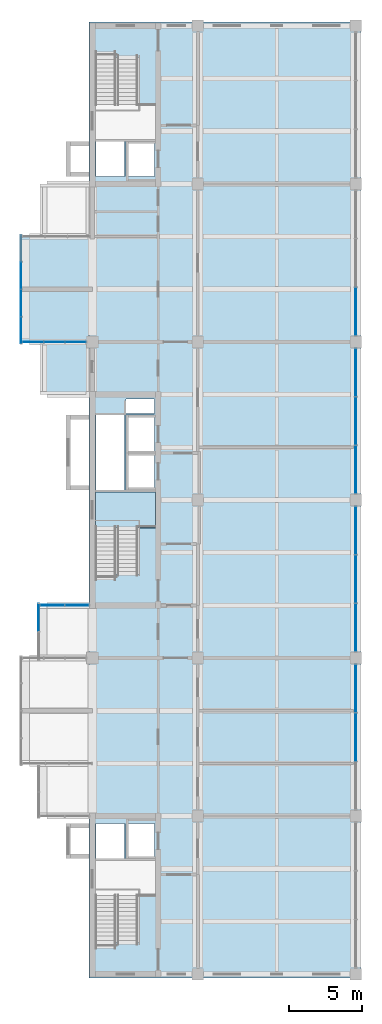
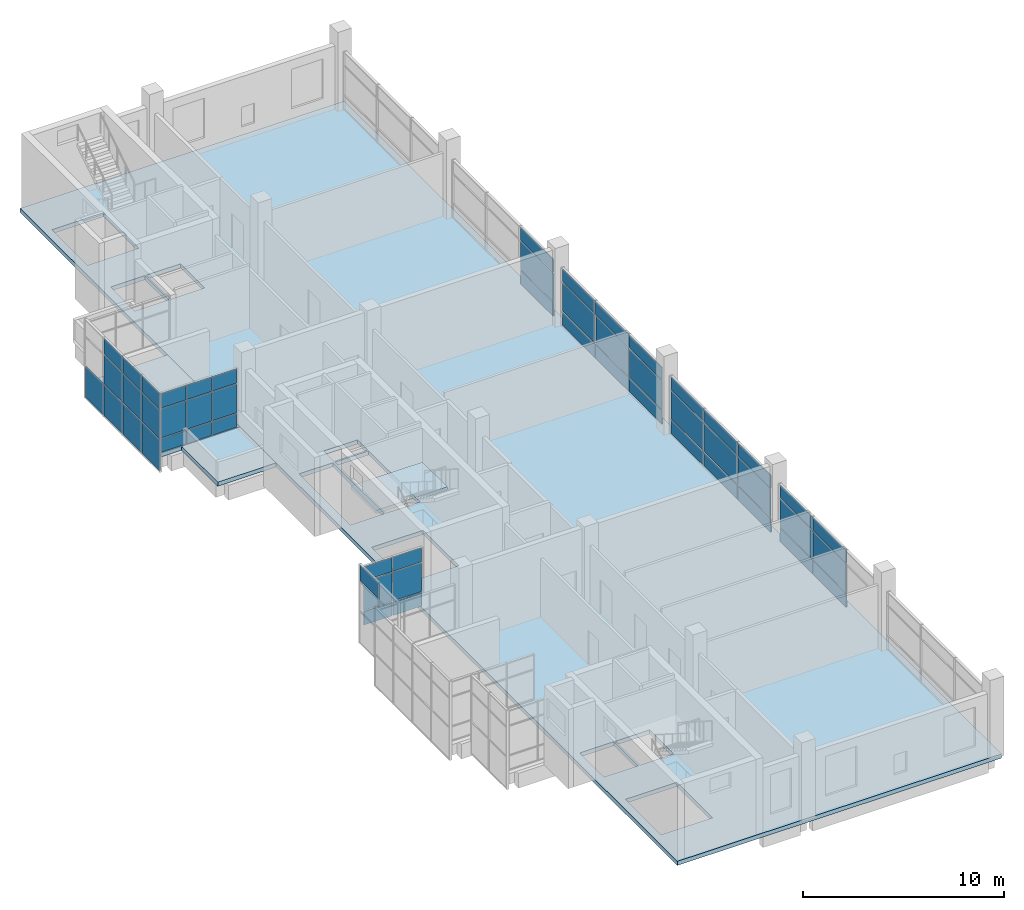
# One storey, part 9 of 14: 53 plates, 4 slabs, 9 elements without a shape of their own.
"""IFC4 building model written with IfcOpenShell, lengths in metres."""

import ifcopenshell
import ifcopenshell.guid

model = None  # the IFC model being written
_history = None  # IfcOwnerHistory: only IFC2X3 demands one
_inside = {}  # id of a spatial element -> (the spatial element, [elements in it])
_under = {}  # id of a project, library or spatial element -> (it, [spatial elements below it])
_declared = {}  # id of a project -> (the project, [libraries it declares])
_typed = {}  # id of a type object -> (the type object, [elements of that type])
_made_of = {}  # id of a material, layer set ... -> (it, [elements and type objects made of it])


def new_model(schema):
    """Start an empty IFC model of exactly this schema.

    Asked for "IFC4X3", IfcOpenShell would pick the latest addendum, in which some entities
    have other attributes; the version numbers below select the first issue.
    IFC2X3 requires an IfcOwnerHistory on every rooted entity: one is made here for all.
    """
    global model, _history
    if schema == "IFC4X3":
        model = ifcopenshell.file(schema_version=(4, 3, 0, 0))
    else:
        model = ifcopenshell.file(schema=schema)
    _inside.clear()
    _under.clear()
    _declared.clear()
    _typed.clear()
    _made_of.clear()
    _history = None
    if model.schema == "IFC2X3":
        org = make("IfcOrganization", Name="unknown")
        user = make(
            "IfcPersonAndOrganization",
            ThePerson=make("IfcPerson", FamilyName="unknown"),
            TheOrganization=org,
        )
        app = make(
            "IfcApplication",
            ApplicationDeveloper=org,
            Version="unknown",
            ApplicationFullName="unknown",
            ApplicationIdentifier="unknown",
        )
        _history = make(
            "IfcOwnerHistory",
            OwningUser=user,
            OwningApplication=app,
            ChangeAction="ADDED",
            CreationDate=0,
        )
    return model


def make(cls, **values):
    """One entity of the class cls with the attributes given. An attribute that is None is left unset."""
    return model.create_entity(
        cls, **{name: value for name, value in values.items() if value is not None}
    )


def rooted(cls, **values):
    """An entity with a GlobalId (a new one), such as an element, a storey or a relation."""
    return make(cls, GlobalId=ifcopenshell.guid.new(), OwnerHistory=_history, **values)


def si_unit(unit_type, name, prefix=None):
    """IfcSIUnit, for example si_unit("LENGTHUNIT", "METRE", prefix="MILLI")."""
    return make("IfcSIUnit", UnitType=unit_type, Prefix=prefix, Name=name)


def assignment(units):
    """IfcUnitAssignment: the units of a project."""
    return None if units is None else make("IfcUnitAssignment", Units=units)


def point(xyz):
    """IfcCartesianPoint."""
    return None if xyz is None else make("IfcCartesianPoint", Coordinates=xyz)


def direction(xyz):
    """IfcDirection."""
    return None if xyz is None else make("IfcDirection", DirectionRatios=xyz)


def frame(location, z_axis=None, x_axis=None):
    """IfcAxis2Placement3D, a coordinate frame: its origin and axes. An axis left out is left unset."""
    return make(
        "IfcAxis2Placement3D",
        Location=point(location),
        Axis=direction(z_axis),
        RefDirection=direction(x_axis),
    )


def frame_2d(location, x_axis=None):
    """IfcAxis2Placement2D, a coordinate frame in the plane: its origin and x axis."""
    return make(
        "IfcAxis2Placement2D", Location=point(location), RefDirection=direction(x_axis)
    )


def origin():
    """The frame at (0, 0, 0) with its axes left unset."""
    return frame((0.0, 0.0, 0.0))


def origin_2d():
    """The frame at (0, 0) in the plane with its x axis left unset."""
    return frame_2d((0.0, 0.0))


def place(relative_to, where):
    """IfcLocalPlacement: puts the frame where relative to a parent placement (None: the world)."""
    return make(
        "IfcLocalPlacement", PlacementRelTo=relative_to, RelativePlacement=where
    )


def context(
    kind, dimensions, precision=None, world=None, true_north=None, identifier=None
):
    """IfcGeometricRepresentationContext, for example the 3D "Model" context."""
    return make(
        "IfcGeometricRepresentationContext",
        ContextIdentifier=identifier,
        ContextType=kind,
        CoordinateSpaceDimension=dimensions,
        Precision=precision,
        WorldCoordinateSystem=world,
        TrueNorth=true_north,
    )


def subcontext(parent, identifier, kind, view, scale=None):
    """IfcGeometricRepresentationSubContext, for example "Body" below "Model"."""
    return make(
        "IfcGeometricRepresentationSubContext",
        ContextIdentifier=identifier,
        ContextType=kind,
        ParentContext=parent,
        TargetScale=scale,
        TargetView=view,
    )


def project(units=None, contexts=None):
    """IfcProject with its units and contexts."""
    return rooted(
        "IfcProject",
        Name="project",
        RepresentationContexts=contexts,
        UnitsInContext=assignment(units),
    )


def spatial(cls, under=None, at=None, **own):
    """A site, building, storey or space (cls), placed at a placement, below another one or the project."""
    s = rooted(cls, ObjectPlacement=at, **own)
    if under is not None:
        _under.setdefault(under.id(), (under, []))[1].append(s)
    return s


def polyline(points):
    """IfcPolyline through the points."""
    return make("IfcPolyline", Points=[point(p) for p in points])


def profile(cls, at=None, kind="AREA", **sizes):
    """A parametric profile (cls). Its sizes go by their IFC names, for example OverallWidth=200.0."""
    return make(cls, ProfileType=kind, Position=at, **sizes)


def rectangle(**sizes):
    """IfcRectangleProfileDef."""
    return profile("IfcRectangleProfileDef", **sizes)


def outline(outer, holes=None, kind="AREA"):
    """IfcArbitraryClosedProfileDef: a profile drawn as a closed curve; with holes, ...WithVoids."""
    if holes is None:
        return make("IfcArbitraryClosedProfileDef", ProfileType=kind, OuterCurve=outer)
    return make(
        "IfcArbitraryProfileDefWithVoids",
        ProfileType=kind,
        OuterCurve=outer,
        InnerCurves=holes,
    )


def extrude(swept, where, along, depth):
    """IfcExtrudedAreaSolid: the profile swept, set in the frame where, extruded along a direction by depth."""
    return make(
        "IfcExtrudedAreaSolid",
        SweptArea=swept,
        Position=where,
        ExtrudedDirection=direction(along),
        Depth=depth,
    )


def shape(context_of_items, identifier, shape_type, items):
    """IfcShapeRepresentation: the items that make up one representation, for example the "Body"."""
    return make(
        "IfcShapeRepresentation",
        ContextOfItems=context_of_items,
        RepresentationIdentifier=identifier,
        RepresentationType=shape_type,
        Items=items,
    )


def material(Name=None, Category=None):
    """IfcMaterial."""
    return make("IfcMaterial", Name=Name, Category=Category)


def layer(
    of_material, thickness, ventilated=None, Name=None, Category=None, Priority=None
):
    """IfcMaterialLayer: one layer of a wall or slab, of a material (None: an air gap)."""
    return make(
        "IfcMaterialLayer",
        Material=of_material,
        LayerThickness=thickness,
        IsVentilated=ventilated,
        Name=Name,
        Category=Category,
        Priority=Priority,
    )


def layer_set(layers, Name=None):
    """IfcMaterialLayerSet."""
    return make("IfcMaterialLayerSet", MaterialLayers=layers, LayerSetName=Name)


def made_of(thing, what):
    """Note that an element or type object is made of a material, layer set ...; save() writes the relation."""
    if what is not None:
        _made_of.setdefault(what.id(), (what, []))[1].append(thing)
    return thing


def type_object(cls, material=None, **own):
    """A type object (cls), such as IfcWallType, which elements share."""
    return made_of(rooted(cls, **own), material)


def element(
    cls,
    number,
    at=None,
    inside=None,
    cuts=None,
    type_object=None,
    material=None,
    context=None,
    identifier="Body",
    shape_type=None,
    held_by="IfcProductDefinitionShape",
    body=None,
    shapes=None,
    **own,
):
    """One element of the class cls, such as IfcWall. Its Tag is "e" and its number.

    at: its placement. inside: the storey or other place that contains it. cuts: it is an
    opening in that element (IfcRelVoidsElement). A single representation is given by context,
    identifier, shape_type and body (its items); several are given by shapes. held_by: the class
    of the entity that holds the representations. save() writes the other relations.
    """
    e = rooted(cls, Tag="e%d" % number, ObjectPlacement=at, **own)
    if body is not None:
        shapes = [shape(context, identifier, shape_type, body)]
    if shapes is not None:
        e.Representation = make(held_by, Representations=shapes)
    if inside is not None:
        _inside.setdefault(inside.id(), (inside, []))[1].append(e)
    if cuts is not None:
        rooted(
            "IfcRelVoidsElement", RelatingBuildingElement=cuts, RelatedOpeningElement=e
        )
    if type_object is not None:
        _typed.setdefault(type_object.id(), (type_object, []))[1].append(e)
    return made_of(e, material)


def aggregate(whole, parts):
    """IfcRelAggregates: a whole, such as a stair, and the parts it consists of."""
    return rooted("IfcRelAggregates", RelatingObject=whole, RelatedObjects=parts)


def save(model, path):
    """Write the relations noted so far, then the file.

    IfcRelAggregates (storeys below a building ...), IfcRelContainedInSpatialStructure (elements
    in a storey), IfcRelDefinesByType, IfcRelAssociatesMaterial and IfcRelDeclares: one each for
    every whole, place, type object, material and project.
    """
    for whole, parts in _under.values():
        aggregate(whole, parts)
    for where, things in _inside.values():
        rooted(
            "IfcRelContainedInSpatialStructure",
            RelatedElements=things,
            RelatingStructure=where,
        )
    for kind, things in _typed.values():
        rooted("IfcRelDefinesByType", RelatedObjects=things, RelatingType=kind)
    for what, things in _made_of.values():
        rooted("IfcRelAssociatesMaterial", RelatedObjects=things, RelatingMaterial=what)
    for by, libraries in _declared.values():
        rooted("IfcRelDeclares", RelatingContext=by, RelatedDefinitions=libraries)
    model.write(path)


model = new_model("IFC4")

# Units and contexts
model_context = context("Model", 3, precision=1e-05, world=origin(), true_north=direction((0.0, 1.0)))
body_context = subcontext(model_context, "Body", "Model", "MODEL_VIEW")
ifc_project = project(units=[si_unit("LENGTHUNIT", "METRE"), si_unit("AREAUNIT", "SQUARE_METRE"), si_unit("VOLUMEUNIT", "CUBIC_METRE"), si_unit("PLANEANGLEUNIT", "RADIAN"), si_unit("MASSUNIT", "GRAM", prefix="KILO")], contexts=[model_context])

# Site, building, storey
site_placement = place(None, origin())
site = spatial("IfcSite", under=ifc_project, at=site_placement, CompositionType="ELEMENT")
building_placement = place(site_placement, origin())
building = spatial("IfcBuilding", under=site, at=building_placement, Name="Basin Gate Institute", CompositionType="ELEMENT")
storey_placement = place(building_placement, frame((0.0, 0.0, 60.60009765625)))
storey = spatial("IfcBuildingStorey", under=building, at=storey_placement, Name="L12", CompositionType="ELEMENT", Elevation=60.60009765625)

# Slabs
ifc_material_1 = material(Name="Concrete 40 MPa", Category="concrete")
ifc_layer_1 = layer(ifc_material_1, 0.25)
ifc_layer_set_1 = layer_set([ifc_layer_1], Name="Concrete 40 MPa")
slab_type_1 = type_object("IfcSlabType", Name="Slab RS4 R120", PredefinedType="ROOF", material=ifc_layer_set_1)
slab_1_placement = place(storey_placement, frame((0.0, 0.0, -0.25)))
element("IfcSlab", 1, at=slab_1_placement, inside=storey, type_object=slab_type_1, material=ifc_layer_set_1, Name="SLAB/L12/WK21", PredefinedType="ROOF", context=body_context, shape_type="SweptSolid", body=[
    extrude(outline(polyline([(57.60009765625, 74.699951171875), (60.949951171875, 74.699951171875), (60.949951171875, 78.300048828125), (57.60009765625, 78.300048828125), (57.60009765625, 74.699951171875)])), origin(), (0.0, 0.0, 1.0), 0.25),
])
ifc_material_2 = material(Name="Concrete 40 MPa", Category="concrete")
ifc_layer_2 = layer(ifc_material_2, 0.25)
ifc_layer_set_2 = layer_set([ifc_layer_2], Name="Concrete 40 MPa")
slab_type_2 = type_object("IfcSlabType", Name="Slab SL4 R120", PredefinedType="FLOOR", material=ifc_layer_set_2)
slab_2_placement = place(storey_placement, frame((0.0, 0.0, -0.25)))
element("IfcSlab", 2, at=slab_2_placement, inside=storey, type_object=slab_type_2, material=ifc_layer_set_2, Name="SLAB/L12/W", PredefinedType="FLOOR", context=body_context, shape_type="SweptSolid", body=[
    extrude(outline(polyline([(60.949951171875, 34.85009765625), (79.550048828125, 34.85009765625), (79.550048828125, 100.14990234375), (60.949951171875, 100.14990234375), (60.949951171875, 34.85009765625)]), holes=[polyline([(61.39990234375, 37.25), (64.35009765625, 37.25), (64.35009765625, 40.7900390625), (61.39990234375, 40.7900390625), (61.39990234375, 37.25)]), polyline([(61.39990234375, 62.449951171875), (64.35009765625, 62.449951171875), (64.35009765625, 65.989990234375), (61.39990234375, 65.989990234375), (61.39990234375, 62.449951171875)]), polyline([(61.39990234375, 94.2099609375), (64.35009765625, 94.2099609375), (64.35009765625, 97.75), (61.39990234375, 97.75), (61.39990234375, 94.2099609375)]), polyline([(61.449951171875, 43.0), (63.39990234375, 43.0), (63.39990234375, 45.39990234375), (61.449951171875, 45.39990234375), (61.449951171875, 43.0)]), polyline([(61.449951171875, 68.199951171875), (63.39990234375, 68.199951171875), (63.39990234375, 73.300048828125), (61.449951171875, 73.300048828125), (61.449951171875, 68.199951171875)]), polyline([(63.5, 73.39990234375), (65.449951171875, 73.39990234375), (65.449951171875, 74.39990234375), (63.5, 74.39990234375), (63.5, 73.39990234375)]), polyline([(61.449951171875, 89.60009765625), (63.39990234375, 89.60009765625), (63.39990234375, 92.0), (61.449951171875, 92.0), (61.449951171875, 89.60009765625)]), polyline([(63.5, 43.0), (65.449951171875, 43.0), (65.449951171875, 45.39990234375), (63.5, 45.39990234375), (63.5, 43.0)]), polyline([(65.449951171875, 68.199951171875), (63.5, 68.199951171875), (63.5, 73.300048828125), (65.449951171875, 73.300048828125), (65.449951171875, 68.199951171875)]), polyline([(63.5, 89.60009765625), (65.449951171875, 89.60009765625), (65.449951171875, 92.0), (63.5, 92.0), (63.5, 89.60009765625)])]), origin(), (0.0, 0.0, 1.0), 0.25),
])
slab_3_placement = place(storey_placement, frame((0.0, 0.0, -0.25)))
element("IfcSlab", 3, at=slab_3_placement, inside=storey, type_object=slab_type_2, material=ifc_layer_set_2, Name="SLAB/L12/WK22", PredefinedType="FLOOR", context=body_context, shape_type="SweptSolid", body=[
    extrude(outline(polyline([(60.949951171875, 78.300048828125), (56.39990234375, 78.300048828125), (56.39990234375, 85.5), (60.949951171875, 85.5), (60.949951171875, 78.300048828125)])), origin(), (0.0, 0.0, 1.0), 0.25),
])

# Curtain wall, plates
ifc_material_3 = material(Name="Aluminium-framed glazing", Category="aluminium")
ifc_layer_3 = layer(ifc_material_3, 0.199951171875)
ifc_layer_set_3 = layer_set([ifc_layer_3], Name="Atrium curtain wall CW2")
curtain_wall_type_1 = type_object("IfcCurtainWallType", Name="Atrium curtain wall CW2", PredefinedType="NOTDEFINED", material=ifc_layer_set_3)
curtain_wall_1_placement = place(storey_placement, origin())
curtain_wall_1 = element("IfcCurtainWall", 4, at=curtain_wall_1_placement, inside=storey, type_object=curtain_wall_type_1, material=ifc_layer_set_3, Name="Atrium curtain wall W wing atrium bay 2 L12", PredefinedType="NOTDEFINED")
ifc_material_4 = material(Name="Aluminium insulated spandrel panel", Category="aluminium")
ifc_layer_4 = layer(ifc_material_4, 0.050048828125)
ifc_layer_set_4 = layer_set([ifc_layer_4], Name="Spandrel panel PN2")
plate_type_1 = type_object("IfcPlateType", Name="Spandrel panel PN2", PredefinedType="CURTAIN_PANEL", material=ifc_layer_set_4)
plate_1_placement = place(storey_placement, frame((79.199951171875, 51.300048828125, 0.059814453125), z_axis=(0.0, 0.0, 1.0), x_axis=(0.0, 1.0, 0.0)))
plate_1 = element("IfcPlate", 5, at=plate_1_placement, type_object=plate_type_1, material=ifc_layer_set_4, Name="CW2 spandrel panel 2.1", PredefinedType="CURTAIN_PANEL", context=body_context, shape_type="SweptSolid", body=[
    extrude(rectangle(XDim=3.2734375, YDim=0.050048828125, at=origin_2d()), origin(), (0.0, 0.0, 1.0), 0.81005859375),
])
plate_2_placement = place(storey_placement, frame((79.199951171875, 51.300048828125, 2.72998046875), z_axis=(0.0, 0.0, 1.0), x_axis=(0.0, 1.0, 0.0)))
plate_2 = element("IfcPlate", 6, at=plate_2_placement, type_object=plate_type_1, material=ifc_layer_set_4, Name="CW2 spandrel panel 2.3", PredefinedType="CURTAIN_PANEL", context=body_context, shape_type="SweptSolid", body=[
    extrude(rectangle(XDim=3.2734375, YDim=0.050048828125, at=origin_2d()), origin(), (0.0, 0.0, 1.0), 0.760009765625),
])
plate_3_placement = place(storey_placement, frame((79.199951171875, 54.618408203125, 0.059814453125), z_axis=(0.0, 0.0, 1.0), x_axis=(0.0, 1.0, 0.0)))
plate_3 = element("IfcPlate", 7, at=plate_3_placement, type_object=plate_type_1, material=ifc_layer_set_4, Name="CW2 spandrel panel 3.1", PredefinedType="CURTAIN_PANEL", context=body_context, shape_type="SweptSolid", body=[
    extrude(rectangle(XDim=3.243408203125, YDim=0.050048828125, at=origin_2d()), origin(), (0.0, 0.0, 1.0), 0.81005859375),
])
plate_4_placement = place(storey_placement, frame((79.199951171875, 54.618408203125, 2.72998046875), z_axis=(0.0, 0.0, 1.0), x_axis=(0.0, 1.0, 0.0)))
plate_4 = element("IfcPlate", 8, at=plate_4_placement, type_object=plate_type_1, material=ifc_layer_set_4, Name="CW2 spandrel panel 3.3", PredefinedType="CURTAIN_PANEL", context=body_context, shape_type="SweptSolid", body=[
    extrude(rectangle(XDim=3.243408203125, YDim=0.050048828125, at=origin_2d()), origin(), (0.0, 0.0, 1.0), 0.760009765625),
])

curtain_wall_2_placement = place(storey_placement, origin())
curtain_wall_2 = element("IfcCurtainWall", 9, at=curtain_wall_2_placement, inside=storey, type_object=curtain_wall_type_1, material=ifc_layer_set_3, Name="Atrium curtain wall W wing atrium bay 3 L12", PredefinedType="NOTDEFINED")
plate_5_placement = place(storey_placement, frame((79.199951171875, 58.78173828125, 0.059814453125), z_axis=(0.0, 0.0, 1.0), x_axis=(0.0, 1.0, 0.0)))
plate_5 = element("IfcPlate", 10, at=plate_5_placement, type_object=plate_type_1, material=ifc_layer_set_4, Name="CW2 spandrel panel 1.1", PredefinedType="CURTAIN_PANEL", context=body_context, shape_type="SweptSolid", body=[
    extrude(rectangle(XDim=3.243408203125, YDim=0.050048828125, at=origin_2d()), origin(), (0.0, 0.0, 1.0), 0.81005859375),
])
plate_6_placement = place(storey_placement, frame((79.199951171875, 58.78173828125, 2.72998046875), z_axis=(0.0, 0.0, 1.0), x_axis=(0.0, 1.0, 0.0)))
plate_6 = element("IfcPlate", 11, at=plate_6_placement, type_object=plate_type_1, material=ifc_layer_set_4, Name="CW2 spandrel panel 1.3", PredefinedType="CURTAIN_PANEL", context=body_context, shape_type="SweptSolid", body=[
    extrude(rectangle(XDim=3.243408203125, YDim=0.050048828125, at=origin_2d()), origin(), (0.0, 0.0, 1.0), 0.760009765625),
])
plate_7_placement = place(storey_placement, frame((79.199951171875, 62.10009765625, 0.059814453125), z_axis=(0.0, 0.0, 1.0), x_axis=(0.0, 1.0, 0.0)))
plate_7 = element("IfcPlate", 12, at=plate_7_placement, type_object=plate_type_1, material=ifc_layer_set_4, Name="CW2 spandrel panel 2.1", PredefinedType="CURTAIN_PANEL", context=body_context, shape_type="SweptSolid", body=[
    extrude(rectangle(XDim=3.2734375, YDim=0.050048828125, at=origin_2d()), origin(), (0.0, 0.0, 1.0), 0.81005859375),
])
plate_8_placement = place(storey_placement, frame((79.199951171875, 62.10009765625, 2.72998046875), z_axis=(0.0, 0.0, 1.0), x_axis=(0.0, 1.0, 0.0)))
plate_8 = element("IfcPlate", 13, at=plate_8_placement, type_object=plate_type_1, material=ifc_layer_set_4, Name="CW2 spandrel panel 2.3", PredefinedType="CURTAIN_PANEL", context=body_context, shape_type="SweptSolid", body=[
    extrude(rectangle(XDim=3.2734375, YDim=0.050048828125, at=origin_2d()), origin(), (0.0, 0.0, 1.0), 0.760009765625),
])
plate_9_placement = place(storey_placement, frame((79.199951171875, 65.418212890625, 0.059814453125), z_axis=(0.0, 0.0, 1.0), x_axis=(0.0, 1.0, 0.0)))
plate_9 = element("IfcPlate", 14, at=plate_9_placement, type_object=plate_type_1, material=ifc_layer_set_4, Name="CW2 spandrel panel 3.1", PredefinedType="CURTAIN_PANEL", context=body_context, shape_type="SweptSolid", body=[
    extrude(rectangle(XDim=3.243408203125, YDim=0.050048828125, at=origin_2d()), origin(), (0.0, 0.0, 1.0), 0.81005859375),
])
plate_10_placement = place(storey_placement, frame((79.199951171875, 65.418212890625, 2.72998046875), z_axis=(0.0, 0.0, 1.0), x_axis=(0.0, 1.0, 0.0)))
plate_10 = element("IfcPlate", 15, at=plate_10_placement, type_object=plate_type_1, material=ifc_layer_set_4, Name="CW2 spandrel panel 3.3", PredefinedType="CURTAIN_PANEL", context=body_context, shape_type="SweptSolid", body=[
    extrude(rectangle(XDim=3.243408203125, YDim=0.050048828125, at=origin_2d()), origin(), (0.0, 0.0, 1.0), 0.760009765625),
])

curtain_wall_3_placement = place(storey_placement, origin())
curtain_wall_3 = element("IfcCurtainWall", 16, at=curtain_wall_3_placement, inside=storey, type_object=curtain_wall_type_1, material=ifc_layer_set_3, Name="Atrium curtain wall W wing atrium bay 4 L12", PredefinedType="NOTDEFINED")
plate_11_placement = place(storey_placement, frame((79.199951171875, 69.581787109375, 0.059814453125), z_axis=(0.0, 0.0, 1.0), x_axis=(0.0, 1.0, 0.0)))
plate_11 = element("IfcPlate", 17, at=plate_11_placement, type_object=plate_type_1, material=ifc_layer_set_4, Name="CW2 spandrel panel 1.1", PredefinedType="CURTAIN_PANEL", context=body_context, shape_type="SweptSolid", body=[
    extrude(rectangle(XDim=3.243408203125, YDim=0.050048828125, at=origin_2d()), origin(), (0.0, 0.0, 1.0), 0.81005859375),
])
plate_12_placement = place(storey_placement, frame((79.199951171875, 69.581787109375, 2.72998046875), z_axis=(0.0, 0.0, 1.0), x_axis=(0.0, 1.0, 0.0)))
plate_12 = element("IfcPlate", 18, at=plate_12_placement, type_object=plate_type_1, material=ifc_layer_set_4, Name="CW2 spandrel panel 1.3", PredefinedType="CURTAIN_PANEL", context=body_context, shape_type="SweptSolid", body=[
    extrude(rectangle(XDim=3.243408203125, YDim=0.050048828125, at=origin_2d()), origin(), (0.0, 0.0, 1.0), 0.760009765625),
])
plate_13_placement = place(storey_placement, frame((79.199951171875, 72.89990234375, 0.059814453125), z_axis=(0.0, 0.0, 1.0), x_axis=(0.0, 1.0, 0.0)))
plate_13 = element("IfcPlate", 19, at=plate_13_placement, type_object=plate_type_1, material=ifc_layer_set_4, Name="CW2 spandrel panel 2.1", PredefinedType="CURTAIN_PANEL", context=body_context, shape_type="SweptSolid", body=[
    extrude(rectangle(XDim=3.2734375, YDim=0.050048828125, at=origin_2d()), origin(), (0.0, 0.0, 1.0), 0.81005859375),
])
plate_14_placement = place(storey_placement, frame((79.199951171875, 72.89990234375, 2.72998046875), z_axis=(0.0, 0.0, 1.0), x_axis=(0.0, 1.0, 0.0)))
plate_14 = element("IfcPlate", 20, at=plate_14_placement, type_object=plate_type_1, material=ifc_layer_set_4, Name="CW2 spandrel panel 2.3", PredefinedType="CURTAIN_PANEL", context=body_context, shape_type="SweptSolid", body=[
    extrude(rectangle(XDim=3.2734375, YDim=0.050048828125, at=origin_2d()), origin(), (0.0, 0.0, 1.0), 0.760009765625),
])
plate_15_placement = place(storey_placement, frame((79.199951171875, 76.21826171875, 0.059814453125), z_axis=(0.0, 0.0, 1.0), x_axis=(0.0, 1.0, 0.0)))
plate_15 = element("IfcPlate", 21, at=plate_15_placement, type_object=plate_type_1, material=ifc_layer_set_4, Name="CW2 spandrel panel 3.1", PredefinedType="CURTAIN_PANEL", context=body_context, shape_type="SweptSolid", body=[
    extrude(rectangle(XDim=3.243408203125, YDim=0.050048828125, at=origin_2d()), origin(), (0.0, 0.0, 1.0), 0.81005859375),
])
plate_16_placement = place(storey_placement, frame((79.199951171875, 76.21826171875, 2.72998046875), z_axis=(0.0, 0.0, 1.0), x_axis=(0.0, 1.0, 0.0)))
plate_16 = element("IfcPlate", 22, at=plate_16_placement, type_object=plate_type_1, material=ifc_layer_set_4, Name="CW2 spandrel panel 3.3", PredefinedType="CURTAIN_PANEL", context=body_context, shape_type="SweptSolid", body=[
    extrude(rectangle(XDim=3.243408203125, YDim=0.050048828125, at=origin_2d()), origin(), (0.0, 0.0, 1.0), 0.760009765625),
])

curtain_wall_4_placement = place(storey_placement, origin())
curtain_wall_4 = element("IfcCurtainWall", 23, at=curtain_wall_4_placement, inside=storey, type_object=curtain_wall_type_1, material=ifc_layer_set_3, Name="Atrium curtain wall W wing atrium bay 5 L12", PredefinedType="NOTDEFINED")
plate_17_placement = place(storey_placement, frame((79.199951171875, 80.381591796875, 0.059814453125), z_axis=(0.0, 0.0, 1.0), x_axis=(0.0, 1.0, 0.0)))
plate_17 = element("IfcPlate", 24, at=plate_17_placement, type_object=plate_type_1, material=ifc_layer_set_4, Name="CW2 spandrel panel 1.1", PredefinedType="CURTAIN_PANEL", context=body_context, shape_type="SweptSolid", body=[
    extrude(rectangle(XDim=3.243408203125, YDim=0.050048828125, at=origin_2d()), origin(), (0.0, 0.0, 1.0), 0.81005859375),
])
plate_18_placement = place(storey_placement, frame((79.199951171875, 80.381591796875, 2.72998046875), z_axis=(0.0, 0.0, 1.0), x_axis=(0.0, 1.0, 0.0)))
plate_18 = element("IfcPlate", 25, at=plate_18_placement, type_object=plate_type_1, material=ifc_layer_set_4, Name="CW2 spandrel panel 1.3", PredefinedType="CURTAIN_PANEL", context=body_context, shape_type="SweptSolid", body=[
    extrude(rectangle(XDim=3.243408203125, YDim=0.050048828125, at=origin_2d()), origin(), (0.0, 0.0, 1.0), 0.760009765625),
])

ifc_material_5 = material(Name="Aluminium-framed glazing", Category="aluminium")
ifc_layer_5 = layer(ifc_material_5, 0.14990234375)
ifc_layer_set_5 = layer_set([ifc_layer_5], Name="Capsule front curtain wall CW1")
curtain_wall_type_2 = type_object("IfcCurtainWallType", Name="Capsule front curtain wall CW1", PredefinedType="NOTDEFINED", material=ifc_layer_set_5)
curtain_wall_5_placement = place(storey_placement, origin())
curtain_wall_5 = element("IfcCurtainWall", 26, at=curtain_wall_5_placement, inside=storey, type_object=curtain_wall_type_2, material=ifc_layer_set_5, Name="Capsule front curtain wall W wing capsule end L12 line 8", PredefinedType="NOTDEFINED")
plate_19_placement = place(storey_placement, frame((58.46240234375, 60.300048828125, 0.059814453125), z_axis=(0.0, 0.0, 1.0), x_axis=(1.0, 0.0, 0.0)))
plate_19 = element("IfcPlate", 27, at=plate_19_placement, type_object=plate_type_1, material=ifc_layer_set_4, Name="CW1 spandrel panel 1.1", PredefinedType="CURTAIN_PANEL", context=body_context, shape_type="SweptSolid", body=[
    extrude(rectangle(XDim=1.625, YDim=0.050048828125, at=origin_2d()), origin(), (0.0, 0.0, 1.0), 0.81005859375),
])
plate_20_placement = place(storey_placement, frame((60.137451171875, 60.300048828125, 0.059814453125), z_axis=(0.0, 0.0, 1.0), x_axis=(1.0, 0.0, 0.0)))
plate_20 = element("IfcPlate", 28, at=plate_20_placement, type_object=plate_type_1, material=ifc_layer_set_4, Name="CW1 spandrel panel 2.1", PredefinedType="CURTAIN_PANEL", context=body_context, shape_type="SweptSolid", body=[
    extrude(rectangle(XDim=1.625, YDim=0.050048828125, at=origin_2d()), origin(), (0.0, 0.0, 1.0), 0.81005859375),
])

curtain_wall_6_placement = place(storey_placement, origin())
curtain_wall_6 = element("IfcCurtainWall", 29, at=curtain_wall_6_placement, inside=storey, type_object=curtain_wall_type_2, material=ifc_layer_set_5, Name="Capsule front curtain wall W wing capsule end L12 line 13", PredefinedType="NOTDEFINED")
plate_21_placement = place(storey_placement, frame((57.145751953125, 78.300048828125, 0.059814453125), z_axis=(0.0, 0.0, 1.0), x_axis=(1.0, 0.0, 0.0)))
plate_21 = element("IfcPlate", 30, at=plate_21_placement, type_object=plate_type_1, material=ifc_layer_set_4, Name="CW1 spandrel panel 1.1", PredefinedType="CURTAIN_PANEL", context=body_context, shape_type="SweptSolid", body=[
    extrude(rectangle(XDim=1.3916015625, YDim=0.050048828125, at=origin_2d()), origin(), (0.0, 0.0, 1.0), 0.81005859375),
])
plate_22_placement = place(storey_placement, frame((58.60009765625, 78.300048828125, 0.059814453125), z_axis=(0.0, 0.0, 1.0), x_axis=(1.0, 0.0, 0.0)))
plate_22 = element("IfcPlate", 31, at=plate_22_placement, type_object=plate_type_1, material=ifc_layer_set_4, Name="CW1 spandrel panel 2.1", PredefinedType="CURTAIN_PANEL", context=body_context, shape_type="SweptSolid", body=[
    extrude(rectangle(XDim=1.416748046875, YDim=0.050048828125, at=origin_2d()), origin(), (0.0, 0.0, 1.0), 0.81005859375),
])
plate_23_placement = place(storey_placement, frame((60.05419921875, 78.300048828125, 0.059814453125), z_axis=(0.0, 0.0, 1.0), x_axis=(1.0, 0.0, 0.0)))
plate_23 = element("IfcPlate", 32, at=plate_23_placement, type_object=plate_type_1, material=ifc_layer_set_4, Name="CW1 spandrel panel 3.1", PredefinedType="CURTAIN_PANEL", context=body_context, shape_type="SweptSolid", body=[
    extrude(rectangle(XDim=1.3916015625, YDim=0.050048828125, at=origin_2d()), origin(), (0.0, 0.0, 1.0), 0.81005859375),
])

curtain_wall_7_placement = place(storey_placement, origin())
curtain_wall_7 = element("IfcCurtainWall", 33, at=curtain_wall_7_placement, inside=storey, type_object=curtain_wall_type_2, material=ifc_layer_set_5, Name="Capsule front curtain wall W wing capsule 2 L12 front 2", PredefinedType="NOTDEFINED")
plate_24_placement = place(storey_placement, frame((56.324951171875, 79.10009765625, -0.990234375), z_axis=(0.0, 0.0, 1.0), x_axis=(0.0, 1.0, 0.0)))
plate_24 = element("IfcPlate", 34, at=plate_24_placement, type_object=plate_type_1, material=ifc_layer_set_4, Name="CW1 spandrel panel 1.1", PredefinedType="CURTAIN_PANEL", context=body_context, shape_type="SweptSolid", body=[
    extrude(rectangle(XDim=1.800048828125, YDim=0.050048828125, at=origin_2d()), origin(), (0.0, 0.0, 1.0), 1.860107421875),
])
plate_25_placement = place(storey_placement, frame((56.324951171875, 80.96240234375, -0.990234375), z_axis=(0.0, 0.0, 1.0), x_axis=(0.0, 1.0, 0.0)))
plate_25 = element("IfcPlate", 35, at=plate_25_placement, type_object=plate_type_1, material=ifc_layer_set_4, Name="CW1 spandrel panel 2.1", PredefinedType="CURTAIN_PANEL", context=body_context, shape_type="SweptSolid", body=[
    extrude(rectangle(XDim=1.824951171875, YDim=0.050048828125, at=origin_2d()), origin(), (0.0, 0.0, 1.0), 1.860107421875),
])
plate_26_placement = place(storey_placement, frame((56.324951171875, 82.83740234375, -0.990234375), z_axis=(0.0, 0.0, 1.0), x_axis=(0.0, 1.0, 0.0)))
plate_26 = element("IfcPlate", 36, at=plate_26_placement, type_object=plate_type_1, material=ifc_layer_set_4, Name="CW1 spandrel panel 3.1", PredefinedType="CURTAIN_PANEL", context=body_context, shape_type="SweptSolid", body=[
    extrude(rectangle(XDim=1.824951171875, YDim=0.050048828125, at=origin_2d()), origin(), (0.0, 0.0, 1.0), 1.860107421875),
])
plate_27_placement = place(storey_placement, frame((56.324951171875, 84.699951171875, -0.990234375), z_axis=(0.0, 0.0, 1.0), x_axis=(0.0, 1.0, 0.0)))
plate_27 = element("IfcPlate", 37, at=plate_27_placement, type_object=plate_type_1, material=ifc_layer_set_4, Name="CW1 spandrel panel 4.1", PredefinedType="CURTAIN_PANEL", context=body_context, shape_type="SweptSolid", body=[
    extrude(rectangle(XDim=1.800048828125, YDim=0.050048828125, at=origin_2d()), origin(), (0.0, 0.0, 1.0), 1.860107421875),
])

# Stair, slab
ifc_material_6 = material(Name="Concrete 40 MPa", Category="concrete")
stair_type = type_object("IfcStairType", Name="Stair ST", PredefinedType="HALF_TURN_STAIR", material=ifc_material_6)
stair_placement = place(storey_placement, origin())
stair = element("IfcStair", 38, at=stair_placement, inside=storey, type_object=stair_type, material=ifc_material_6, Name="Special safe stair ST-WM L12", PredefinedType="HALF_TURN_STAIR")
ifc_material_7 = material(Name="Concrete 40 MPa", Category="concrete")
ifc_layer_6 = layer(ifc_material_7, 0.199951171875)
ifc_layer_set_6 = layer_set([ifc_layer_6], Name="Concrete 40 MPa")
slab_type_3 = type_object("IfcSlabType", Name="Stair landing LN REI 120", PredefinedType="LANDING", material=ifc_layer_set_6)
slab_4_placement = place(storey_placement, frame((0.0, 0.0, 2.288818359375)))
slab_4 = element("IfcSlab", 39, at=slab_4_placement, type_object=slab_type_3, material=ifc_layer_set_6, Name="Stair landing ST-WM-L1 L12", PredefinedType="LANDING", context=body_context, shape_type="SweptSolid", body=[
    extrude(outline(polyline([(61.39990234375, 65.570068359375), (65.5, 65.570068359375), (65.5, 68.050048828125), (61.39990234375, 68.050048828125), (61.39990234375, 65.570068359375)])), origin(), (0.0, 0.0, 1.0), 0.199951171875),
])
aggregate(stair, [slab_4])

# Plate
ifc_material_8 = material(Name="Double glazed unit")
ifc_layer_7 = layer(ifc_material_8, 0.028076171875)
ifc_layer_set_7 = layer_set([ifc_layer_7], Name="Vision panel PN1")
plate_type_2 = type_object("IfcPlateType", Name="Vision panel PN1", PredefinedType="CURTAIN_PANEL", material=ifc_layer_set_7)
plate_28_placement = place(storey_placement, frame((79.199951171875, 51.300048828125, 0.9296875), z_axis=(0.0, 0.0, 1.0), x_axis=(0.0, 1.0, 0.0)))
plate_28 = element("IfcPlate", 40, at=plate_28_placement, type_object=plate_type_2, material=ifc_layer_set_7, Name="CW2 vision panel 2.2", PredefinedType="CURTAIN_PANEL", context=body_context, shape_type="SweptSolid", body=[
    extrude(rectangle(XDim=3.2734375, YDim=0.028076171875, at=origin_2d()), origin(), (0.0, 0.0, 1.0), 1.739990234375),
])

plate_29_placement = place(storey_placement, frame((79.199951171875, 54.618408203125, 0.9296875), z_axis=(0.0, 0.0, 1.0), x_axis=(0.0, 1.0, 0.0)))
plate_29 = element("IfcPlate", 41, at=plate_29_placement, type_object=plate_type_2, material=ifc_layer_set_7, Name="CW2 vision panel 3.2", PredefinedType="CURTAIN_PANEL", context=body_context, shape_type="SweptSolid", body=[
    extrude(rectangle(XDim=3.243408203125, YDim=0.028076171875, at=origin_2d()), origin(), (0.0, 0.0, 1.0), 1.739990234375),
])

aggregate(curtain_wall_1, [plate_1, plate_28, plate_2, plate_3, plate_29, plate_4])

plate_30_placement = place(storey_placement, frame((79.199951171875, 58.78173828125, 0.9296875), z_axis=(0.0, 0.0, 1.0), x_axis=(0.0, 1.0, 0.0)))
plate_30 = element("IfcPlate", 42, at=plate_30_placement, type_object=plate_type_2, material=ifc_layer_set_7, Name="CW2 vision panel 1.2", PredefinedType="CURTAIN_PANEL", context=body_context, shape_type="SweptSolid", body=[
    extrude(rectangle(XDim=3.243408203125, YDim=0.028076171875, at=origin_2d()), origin(), (0.0, 0.0, 1.0), 1.739990234375),
])

plate_31_placement = place(storey_placement, frame((79.199951171875, 62.10009765625, 0.9296875), z_axis=(0.0, 0.0, 1.0), x_axis=(0.0, 1.0, 0.0)))
plate_31 = element("IfcPlate", 43, at=plate_31_placement, type_object=plate_type_2, material=ifc_layer_set_7, Name="CW2 vision panel 2.2", PredefinedType="CURTAIN_PANEL", context=body_context, shape_type="SweptSolid", body=[
    extrude(rectangle(XDim=3.2734375, YDim=0.028076171875, at=origin_2d()), origin(), (0.0, 0.0, 1.0), 1.739990234375),
])

plate_32_placement = place(storey_placement, frame((79.199951171875, 65.418212890625, 0.9296875), z_axis=(0.0, 0.0, 1.0), x_axis=(0.0, 1.0, 0.0)))
plate_32 = element("IfcPlate", 44, at=plate_32_placement, type_object=plate_type_2, material=ifc_layer_set_7, Name="CW2 vision panel 3.2", PredefinedType="CURTAIN_PANEL", context=body_context, shape_type="SweptSolid", body=[
    extrude(rectangle(XDim=3.243408203125, YDim=0.028076171875, at=origin_2d()), origin(), (0.0, 0.0, 1.0), 1.739990234375),
])

aggregate(curtain_wall_2, [plate_5, plate_30, plate_6, plate_7, plate_31, plate_8, plate_9, plate_32, plate_10])

plate_33_placement = place(storey_placement, frame((79.199951171875, 69.581787109375, 0.9296875), z_axis=(0.0, 0.0, 1.0), x_axis=(0.0, 1.0, 0.0)))
plate_33 = element("IfcPlate", 45, at=plate_33_placement, type_object=plate_type_2, material=ifc_layer_set_7, Name="CW2 vision panel 1.2", PredefinedType="CURTAIN_PANEL", context=body_context, shape_type="SweptSolid", body=[
    extrude(rectangle(XDim=3.243408203125, YDim=0.028076171875, at=origin_2d()), origin(), (0.0, 0.0, 1.0), 1.739990234375),
])

plate_34_placement = place(storey_placement, frame((79.199951171875, 72.89990234375, 0.9296875), z_axis=(0.0, 0.0, 1.0), x_axis=(0.0, 1.0, 0.0)))
plate_34 = element("IfcPlate", 46, at=plate_34_placement, type_object=plate_type_2, material=ifc_layer_set_7, Name="CW2 vision panel 2.2", PredefinedType="CURTAIN_PANEL", context=body_context, shape_type="SweptSolid", body=[
    extrude(rectangle(XDim=3.2734375, YDim=0.028076171875, at=origin_2d()), origin(), (0.0, 0.0, 1.0), 1.739990234375),
])

plate_35_placement = place(storey_placement, frame((79.199951171875, 76.21826171875, 0.9296875), z_axis=(0.0, 0.0, 1.0), x_axis=(0.0, 1.0, 0.0)))
plate_35 = element("IfcPlate", 47, at=plate_35_placement, type_object=plate_type_2, material=ifc_layer_set_7, Name="CW2 vision panel 3.2", PredefinedType="CURTAIN_PANEL", context=body_context, shape_type="SweptSolid", body=[
    extrude(rectangle(XDim=3.243408203125, YDim=0.028076171875, at=origin_2d()), origin(), (0.0, 0.0, 1.0), 1.739990234375),
])

aggregate(curtain_wall_3, [plate_11, plate_33, plate_12, plate_13, plate_34, plate_14, plate_15, plate_35, plate_16])

plate_36_placement = place(storey_placement, frame((79.199951171875, 80.381591796875, 0.9296875), z_axis=(0.0, 0.0, 1.0), x_axis=(0.0, 1.0, 0.0)))
plate_36 = element("IfcPlate", 48, at=plate_36_placement, type_object=plate_type_2, material=ifc_layer_set_7, Name="CW2 vision panel 1.2", PredefinedType="CURTAIN_PANEL", context=body_context, shape_type="SweptSolid", body=[
    extrude(rectangle(XDim=3.243408203125, YDim=0.028076171875, at=origin_2d()), origin(), (0.0, 0.0, 1.0), 1.739990234375),
])

aggregate(curtain_wall_4, [plate_17, plate_36, plate_18])

plate_37_placement = place(storey_placement, frame((58.46240234375, 60.300048828125, 0.9296875), z_axis=(0.0, 0.0, 1.0), x_axis=(1.0, 0.0, 0.0)))
plate_37 = element("IfcPlate", 49, at=plate_37_placement, type_object=plate_type_2, material=ifc_layer_set_7, Name="CW1 vision panel 1.2", PredefinedType="CURTAIN_PANEL", context=body_context, shape_type="SweptSolid", body=[
    extrude(rectangle(XDim=1.625, YDim=0.028076171875, at=origin_2d()), origin(), (0.0, 0.0, 1.0), 1.739990234375),
])

plate_38_placement = place(storey_placement, frame((58.46240234375, 60.300048828125, 2.72998046875), z_axis=(0.0, 0.0, 1.0), x_axis=(1.0, 0.0, 0.0)))
plate_38 = element("IfcPlate", 50, at=plate_38_placement, type_object=plate_type_2, material=ifc_layer_set_7, Name="CW1 vision panel 1.3", PredefinedType="CURTAIN_PANEL", context=body_context, shape_type="SweptSolid", body=[
    extrude(rectangle(XDim=1.625, YDim=0.028076171875, at=origin_2d()), origin(), (0.0, 0.0, 1.0), 0.860107421875),
])

plate_39_placement = place(storey_placement, frame((60.137451171875, 60.300048828125, 0.9296875), z_axis=(0.0, 0.0, 1.0), x_axis=(1.0, 0.0, 0.0)))
plate_39 = element("IfcPlate", 51, at=plate_39_placement, type_object=plate_type_2, material=ifc_layer_set_7, Name="CW1 vision panel 2.2", PredefinedType="CURTAIN_PANEL", context=body_context, shape_type="SweptSolid", body=[
    extrude(rectangle(XDim=1.625, YDim=0.028076171875, at=origin_2d()), origin(), (0.0, 0.0, 1.0), 1.739990234375),
])

plate_40_placement = place(storey_placement, frame((60.137451171875, 60.300048828125, 2.72998046875), z_axis=(0.0, 0.0, 1.0), x_axis=(1.0, 0.0, 0.0)))
plate_40 = element("IfcPlate", 52, at=plate_40_placement, type_object=plate_type_2, material=ifc_layer_set_7, Name="CW1 vision panel 2.3", PredefinedType="CURTAIN_PANEL", context=body_context, shape_type="SweptSolid", body=[
    extrude(rectangle(XDim=1.625, YDim=0.028076171875, at=origin_2d()), origin(), (0.0, 0.0, 1.0), 0.860107421875),
])

aggregate(curtain_wall_5, [plate_19, plate_37, plate_38, plate_20, plate_39, plate_40])

plate_41_placement = place(storey_placement, frame((57.145751953125, 78.300048828125, 0.9296875), z_axis=(0.0, 0.0, 1.0), x_axis=(1.0, 0.0, 0.0)))
plate_41 = element("IfcPlate", 53, at=plate_41_placement, type_object=plate_type_2, material=ifc_layer_set_7, Name="CW1 vision panel 1.2", PredefinedType="CURTAIN_PANEL", context=body_context, shape_type="SweptSolid", body=[
    extrude(rectangle(XDim=1.3916015625, YDim=0.028076171875, at=origin_2d()), origin(), (0.0, 0.0, 1.0), 1.739990234375),
])

plate_42_placement = place(storey_placement, frame((57.145751953125, 78.300048828125, 2.72998046875), z_axis=(0.0, 0.0, 1.0), x_axis=(1.0, 0.0, 0.0)))
plate_42 = element("IfcPlate", 54, at=plate_42_placement, type_object=plate_type_2, material=ifc_layer_set_7, Name="CW1 vision panel 1.3", PredefinedType="CURTAIN_PANEL", context=body_context, shape_type="SweptSolid", body=[
    extrude(rectangle(XDim=1.3916015625, YDim=0.028076171875, at=origin_2d()), origin(), (0.0, 0.0, 1.0), 0.860107421875),
])

plate_43_placement = place(storey_placement, frame((58.60009765625, 78.300048828125, 0.9296875), z_axis=(0.0, 0.0, 1.0), x_axis=(1.0, 0.0, 0.0)))
plate_43 = element("IfcPlate", 55, at=plate_43_placement, type_object=plate_type_2, material=ifc_layer_set_7, Name="CW1 vision panel 2.2", PredefinedType="CURTAIN_PANEL", context=body_context, shape_type="SweptSolid", body=[
    extrude(rectangle(XDim=1.416748046875, YDim=0.028076171875, at=origin_2d()), origin(), (0.0, 0.0, 1.0), 1.739990234375),
])

plate_44_placement = place(storey_placement, frame((58.60009765625, 78.300048828125, 2.72998046875), z_axis=(0.0, 0.0, 1.0), x_axis=(1.0, 0.0, 0.0)))
plate_44 = element("IfcPlate", 56, at=plate_44_placement, type_object=plate_type_2, material=ifc_layer_set_7, Name="CW1 vision panel 2.3", PredefinedType="CURTAIN_PANEL", context=body_context, shape_type="SweptSolid", body=[
    extrude(rectangle(XDim=1.416748046875, YDim=0.028076171875, at=origin_2d()), origin(), (0.0, 0.0, 1.0), 0.860107421875),
])

plate_45_placement = place(storey_placement, frame((60.05419921875, 78.300048828125, 0.9296875), z_axis=(0.0, 0.0, 1.0), x_axis=(1.0, 0.0, 0.0)))
plate_45 = element("IfcPlate", 57, at=plate_45_placement, type_object=plate_type_2, material=ifc_layer_set_7, Name="CW1 vision panel 3.2", PredefinedType="CURTAIN_PANEL", context=body_context, shape_type="SweptSolid", body=[
    extrude(rectangle(XDim=1.3916015625, YDim=0.028076171875, at=origin_2d()), origin(), (0.0, 0.0, 1.0), 1.739990234375),
])

plate_46_placement = place(storey_placement, frame((60.05419921875, 78.300048828125, 2.72998046875), z_axis=(0.0, 0.0, 1.0), x_axis=(1.0, 0.0, 0.0)))
plate_46 = element("IfcPlate", 58, at=plate_46_placement, type_object=plate_type_2, material=ifc_layer_set_7, Name="CW1 vision panel 3.3", PredefinedType="CURTAIN_PANEL", context=body_context, shape_type="SweptSolid", body=[
    extrude(rectangle(XDim=1.3916015625, YDim=0.028076171875, at=origin_2d()), origin(), (0.0, 0.0, 1.0), 0.860107421875),
])

aggregate(curtain_wall_6, [plate_21, plate_41, plate_42, plate_22, plate_43, plate_44, plate_23, plate_45, plate_46])

# Curtain wall, plate
curtain_wall_8_placement = place(storey_placement, origin())
curtain_wall_8 = element("IfcCurtainWall", 59, at=curtain_wall_8_placement, inside=storey, type_object=curtain_wall_type_2, material=ifc_layer_set_5, Name="Capsule front curtain wall W wing capsule 1 L12 front 4", PredefinedType="NOTDEFINED")
plate_47_placement = place(storey_placement, frame((57.52490234375, 59.46240234375, 2.72998046875), z_axis=(0.0, 0.0, 1.0), x_axis=(0.0, 1.0, 0.0)))
plate_47 = element("IfcPlate", 60, at=plate_47_placement, type_object=plate_type_2, material=ifc_layer_set_7, Name="CW1 vision panel 2.3", PredefinedType="CURTAIN_PANEL", context=body_context, shape_type="SweptSolid", body=[
    extrude(rectangle(XDim=1.875, YDim=0.028076171875, at=origin_2d()), origin(), (0.0, 0.0, 1.0), 0.9599609375),
])
aggregate(curtain_wall_8, [plate_47])

# Plate
plate_48_placement = place(storey_placement, frame((56.324951171875, 79.10009765625, 0.9296875), z_axis=(0.0, 0.0, 1.0), x_axis=(0.0, 1.0, 0.0)))
plate_48 = element("IfcPlate", 61, at=plate_48_placement, type_object=plate_type_2, material=ifc_layer_set_7, Name="CW1 vision panel 1.2", PredefinedType="CURTAIN_PANEL", context=body_context, shape_type="SweptSolid", body=[
    extrude(rectangle(XDim=1.800048828125, YDim=0.028076171875, at=origin_2d()), origin(), (0.0, 0.0, 1.0), 1.739990234375),
])

plate_49_placement = place(storey_placement, frame((56.324951171875, 79.10009765625, 2.72998046875), z_axis=(0.0, 0.0, 1.0), x_axis=(0.0, 1.0, 0.0)))
plate_49 = element("IfcPlate", 62, at=plate_49_placement, type_object=plate_type_2, material=ifc_layer_set_7, Name="CW1 vision panel 1.3", PredefinedType="CURTAIN_PANEL", context=body_context, shape_type="SweptSolid", body=[
    extrude(rectangle(XDim=1.800048828125, YDim=0.028076171875, at=origin_2d()), origin(), (0.0, 0.0, 1.0), 0.9599609375),
])

plate_50_placement = place(storey_placement, frame((56.324951171875, 80.96240234375, 0.9296875), z_axis=(0.0, 0.0, 1.0), x_axis=(0.0, 1.0, 0.0)))
plate_50 = element("IfcPlate", 63, at=plate_50_placement, type_object=plate_type_2, material=ifc_layer_set_7, Name="CW1 vision panel 2.2", PredefinedType="CURTAIN_PANEL", context=body_context, shape_type="SweptSolid", body=[
    extrude(rectangle(XDim=1.824951171875, YDim=0.028076171875, at=origin_2d()), origin(), (0.0, 0.0, 1.0), 1.739990234375),
])

plate_51_placement = place(storey_placement, frame((56.324951171875, 80.96240234375, 2.72998046875), z_axis=(0.0, 0.0, 1.0), x_axis=(0.0, 1.0, 0.0)))
plate_51 = element("IfcPlate", 64, at=plate_51_placement, type_object=plate_type_2, material=ifc_layer_set_7, Name="CW1 vision panel 2.3", PredefinedType="CURTAIN_PANEL", context=body_context, shape_type="SweptSolid", body=[
    extrude(rectangle(XDim=1.824951171875, YDim=0.028076171875, at=origin_2d()), origin(), (0.0, 0.0, 1.0), 0.9599609375),
])

plate_52_placement = place(storey_placement, frame((56.324951171875, 82.83740234375, 0.9296875), z_axis=(0.0, 0.0, 1.0), x_axis=(0.0, 1.0, 0.0)))
plate_52 = element("IfcPlate", 65, at=plate_52_placement, type_object=plate_type_2, material=ifc_layer_set_7, Name="CW1 vision panel 3.2", PredefinedType="CURTAIN_PANEL", context=body_context, shape_type="SweptSolid", body=[
    extrude(rectangle(XDim=1.824951171875, YDim=0.028076171875, at=origin_2d()), origin(), (0.0, 0.0, 1.0), 1.739990234375),
])

plate_53_placement = place(storey_placement, frame((56.324951171875, 82.83740234375, 2.72998046875), z_axis=(0.0, 0.0, 1.0), x_axis=(0.0, 1.0, 0.0)))
plate_53 = element("IfcPlate", 66, at=plate_53_placement, type_object=plate_type_2, material=ifc_layer_set_7, Name="CW1 vision panel 3.3", PredefinedType="CURTAIN_PANEL", context=body_context, shape_type="SweptSolid", body=[
    extrude(rectangle(XDim=1.824951171875, YDim=0.028076171875, at=origin_2d()), origin(), (0.0, 0.0, 1.0), 0.9599609375),
])

aggregate(curtain_wall_7, [plate_24, plate_48, plate_49, plate_25, plate_50, plate_51, plate_26, plate_52, plate_53, plate_27])

save(model, "model.ifc")
